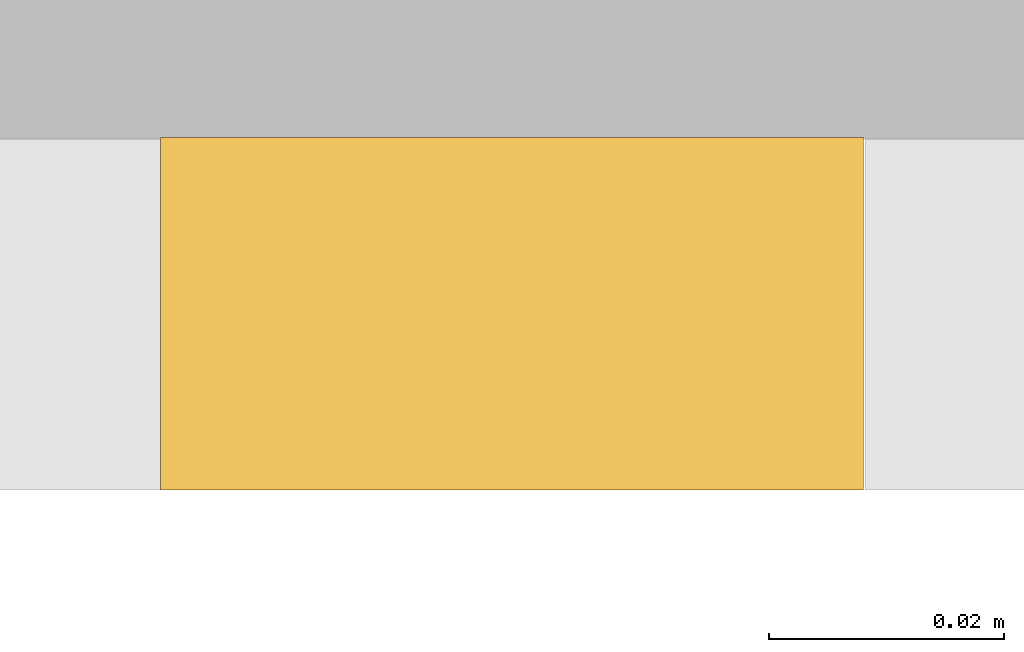
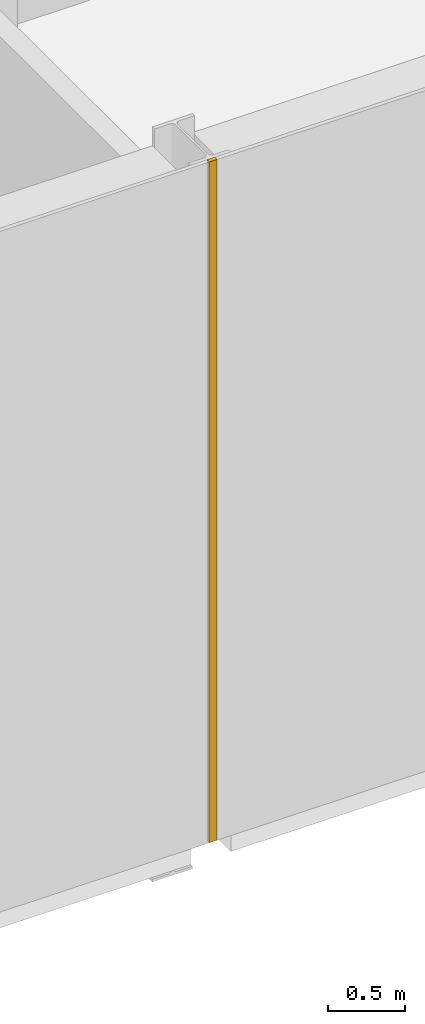
# One storey, part 58 of 64: 1 covering.
"""IFC4 building model written with IfcOpenShell, lengths in metres."""

from ifc_helpers import new_model, si_unit, direction, frame, origin, origin_2d, place, context, subcontext, project, spatial, rectangle, extrude, material, layer, layer_set, type_object, element, save


model = new_model("IFC4")

# Units and contexts
model_context = context("Model", 3, precision=1e-05, world=origin(), true_north=direction((0.0, 1.0)))
body_context = subcontext(model_context, "Body", "Model", "MODEL_VIEW")
ifc_project = project(units=[si_unit("LENGTHUNIT", "METRE"), si_unit("AREAUNIT", "SQUARE_METRE"), si_unit("VOLUMEUNIT", "CUBIC_METRE"), si_unit("PLANEANGLEUNIT", "RADIAN"), si_unit("MASSUNIT", "GRAM", prefix="KILO")], contexts=[model_context])

# Site, building, storey
site_placement = place(None, origin())
site = spatial("IfcSite", under=ifc_project, at=site_placement, CompositionType="ELEMENT")
building_placement = place(site_placement, origin())
building = spatial("IfcBuilding", under=site, at=building_placement, Name="Galleria Vessillo Department Store", CompositionType="ELEMENT")
storey_placement = place(building_placement, frame((0.0, 0.0, 6.0)))
storey = spatial("IfcBuildingStorey", under=building, at=storey_placement, Name="L01", CompositionType="ELEMENT", Elevation=6.0)

# Covering
ifc_material = material(Name="Lime plaster (intonaco) ochre")
ifc_layer = layer(ifc_material, 0.030029296875)
ifc_layer_set = layer_set([ifc_layer], Name="Lime plaster (intonaco) ochre")
covering_type = type_object("IfcCoveringType", Name="Lime plaster render 30 mm", PredefinedType="CLADDING", material=ifc_layer_set)
covering_placement = place(storey_placement, frame((92.39990234375, -0.264892578125, 0.0), z_axis=(0.0, 0.0, 1.0), x_axis=(1.0, 0.0, 0.0)))
element("IfcCovering", 1, at=covering_placement, inside=storey, type_object=covering_type, Name="Joint block Wall cladding S-PS-L01-07", PredefinedType="CLADDING", context=body_context, shape_type="SweptSolid", body=[
    extrude(rectangle(XDim=0.059814453125, YDim=0.030029296875, at=origin_2d()), origin(), (0.0, 0.0, 1.0), 5.39990234375),
])

save(model, "model.ifc")
